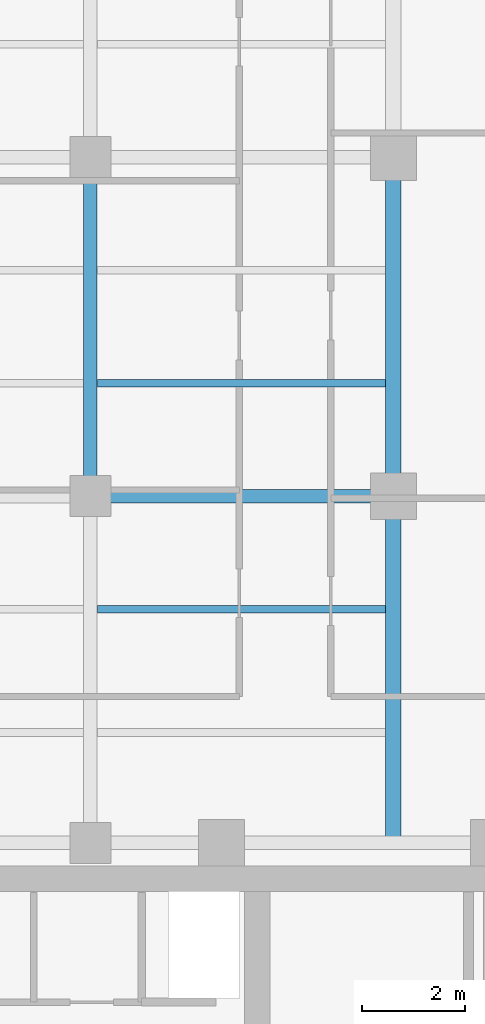
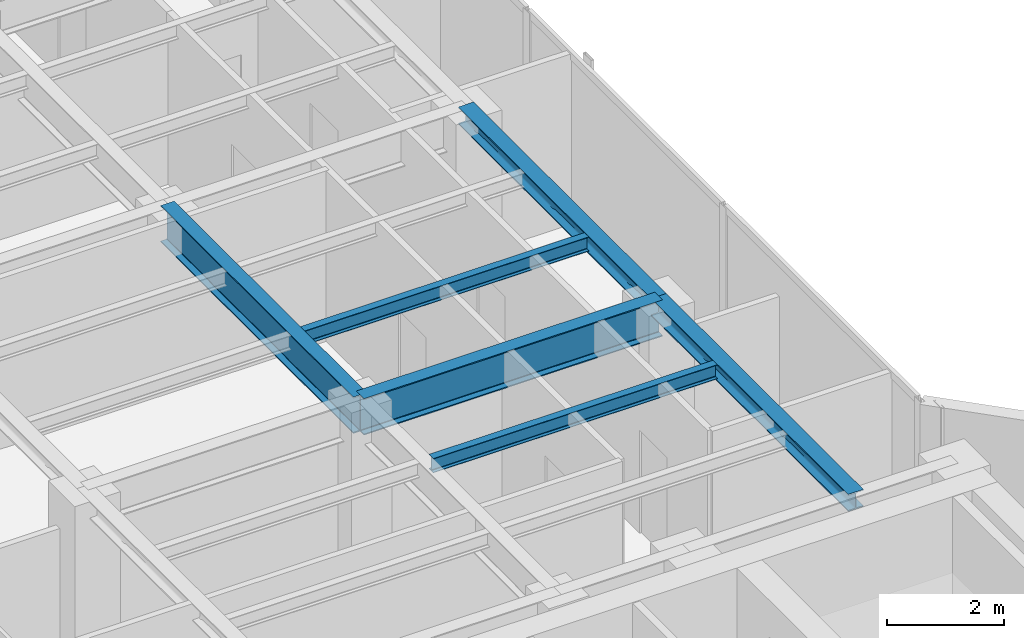
# One storey, part 9 of 23: 6 beams.
"""IFC4 building model written with IfcOpenShell, lengths in metres."""

from ifc_helpers import new_model, si_unit, direction, frame, origin, origin_2d, place, context, subcontext, project, spatial, i_section, extrude, material, material_profile, profile_set, type_object, element, save


model = new_model("IFC4")

# Units and contexts
model_context = context("Model", 3, precision=1e-05, world=origin(), true_north=direction((0.0, 1.0)))
body_context = subcontext(model_context, "Body", "Model", "MODEL_VIEW")
ifc_project = project(units=[si_unit("LENGTHUNIT", "METRE"), si_unit("AREAUNIT", "SQUARE_METRE"), si_unit("VOLUMEUNIT", "CUBIC_METRE"), si_unit("PLANEANGLEUNIT", "RADIAN"), si_unit("MASSUNIT", "GRAM", prefix="KILO")], contexts=[model_context])

# Site, building, storey
site_placement = place(None, origin())
site = spatial("IfcSite", under=ifc_project, at=site_placement, CompositionType="ELEMENT")
building_placement = place(site_placement, origin())
building = spatial("IfcBuilding", under=site, at=building_placement, Name="Kolvaren Waterfront Exchange", CompositionType="ELEMENT")
storey_placement = place(building_placement, frame((0.0, 0.0, 270.39990234375)))
storey = spatial("IfcBuildingStorey", under=building, at=storey_placement, Name="L69", CompositionType="ELEMENT", Elevation=270.39990234375)

# Beams
ifc_material = material(Name="Steel S355", Category="steel")
ifc_material_profile_1 = material_profile(ifc_material, i_section(OverallWidth=0.300048828125, OverallDepth=0.360107421875, WebThickness=0.012451171875, FlangeThickness=0.0224609375, FilletRadius=0.027099609375, at=origin_2d()), Name="HEB360")
ifc_profile_set_1 = profile_set([ifc_material_profile_1], Name="Steel S355")
beam_type_1 = type_object("IfcBeamType", Name="STR-BM-HEB360", PredefinedType="SPANDREL", material=ifc_profile_set_1)
beam_1_placement = place(storey_placement, frame((18.800048828125, 24.449951171875, 3.380126953125), z_axis=(0.0, 1.0, 0.0), x_axis=(-1.0, 0.0, 0.0)))
element("IfcBeam", 1, at=beam_1_placement, inside=storey, type_object=beam_type_1, Name="L69 north-arm edge beam 1", PredefinedType="SPANDREL", context=body_context, shape_type="SweptSolid", body=[
    extrude(i_section(OverallWidth=0.300048828125, OverallDepth=0.360107421875, WebThickness=0.012451171875, FlangeThickness=0.0224609375, FilletRadius=0.027099609375, at=origin_2d()), origin(), (0.0, 0.0, 1.0), 6.75),
])
beam_2_placement = place(storey_placement, frame((18.800048828125, 31.199951171875, 3.380126953125), z_axis=(0.0, 1.0, 0.0), x_axis=(-1.0, 0.0, 0.0)))
element("IfcBeam", 2, at=beam_2_placement, inside=storey, type_object=beam_type_1, Name="L69 north-arm edge beam 2", PredefinedType="SPANDREL", context=body_context, shape_type="SweptSolid", body=[
    extrude(i_section(OverallWidth=0.300048828125, OverallDepth=0.360107421875, WebThickness=0.012451171875, FlangeThickness=0.0224609375, FilletRadius=0.027099609375, at=origin_2d()), origin(), (0.0, 0.0, 1.0), 6.60009765625),
])
ifc_material_profile_2 = material_profile(ifc_material, i_section(OverallWidth=0.14990234375, OverallDepth=0.300048828125, WebThickness=0.007080078125, FlangeThickness=0.0107421875, FilletRadius=0.014892578125, at=origin_2d()), Name="IPE300")
ifc_profile_set_2 = profile_set([ifc_material_profile_2], Name="Steel S355")
beam_type_2 = type_object("IfcBeamType", Name="STR-BM-IPE300", PredefinedType="JOIST", material=ifc_profile_set_2)
for number, where, z_axis, x_axis, name in (
    (3, (13.035400390625, 29.0, 3.41015625), (1.0, 0.0, 0.0), (0.0, 1.0, 0.0), "L69 north-arm composite joist 2B"),
    (4, (13.035400390625, 33.39990234375, 3.41015625), (1.0, 0.0, 0.0), (0.0, 1.0, 0.0), "L69 north-arm composite joist 3B"),
):
    element("IfcBeam", number, at=place(storey_placement, frame(where, z_axis=z_axis, x_axis=x_axis)), inside=storey, type_object=beam_type_2, Name=name, PredefinedType="JOIST", context=body_context, shape_type="SweptSolid", body=[
        extrude(i_section(OverallWidth=0.14990234375, OverallDepth=0.300048828125, WebThickness=0.007080078125, FlangeThickness=0.0107421875, FilletRadius=0.014892578125, at=origin_2d()), origin(), (0.0, 0.0, 1.0), 5.612548828125),
    ])
ifc_material_profile_3 = material_profile(ifc_material, i_section(OverallWidth=0.26708984375, OverallDepth=0.761962890625, WebThickness=0.014404296875, FlangeThickness=0.021484375, FilletRadius=0.01708984375, at=origin_2d()), Name="IPE750x173")
ifc_profile_set_3 = profile_set([ifc_material_profile_3], Name="Steel S355")
beam_type_3 = type_object("IfcBeamType", Name="STR-BM-IPE750", PredefinedType="BEAM", material=ifc_profile_set_3)
beam_3_placement = place(storey_placement, frame((12.89990234375, 31.199951171875, 3.17919921875), z_axis=(1.0, 0.0, 0.0), x_axis=(0.0, 1.0, 0.0)))
element("IfcBeam", 5, at=beam_3_placement, inside=storey, type_object=beam_type_3, Name="L69 north-arm girder 2B", PredefinedType="BEAM", context=body_context, shape_type="SweptSolid", body=[
    extrude(i_section(OverallWidth=0.26708984375, OverallDepth=0.761962890625, WebThickness=0.014404296875, FlangeThickness=0.021484375, FilletRadius=0.01708984375, at=origin_2d()), origin(), (0.0, 0.0, 1.0), 5.900146484375),
])
beam_4_placement = place(storey_placement, frame((12.89990234375, 31.199951171875, 3.17919921875), z_axis=(0.0, 1.0, 0.0), x_axis=(-1.0, 0.0, 0.0)))
element("IfcBeam", 6, at=beam_4_placement, inside=storey, type_object=beam_type_3, Name="L69 north-arm edge beam 2", PredefinedType="BEAM", context=body_context, shape_type="SweptSolid", body=[
    extrude(i_section(OverallWidth=0.26708984375, OverallDepth=0.761962890625, WebThickness=0.014404296875, FlangeThickness=0.021484375, FilletRadius=0.01708984375, at=origin_2d()), origin(), (0.0, 0.0, 1.0), 6.60009765625),
])

save(model, "model.ifc")
